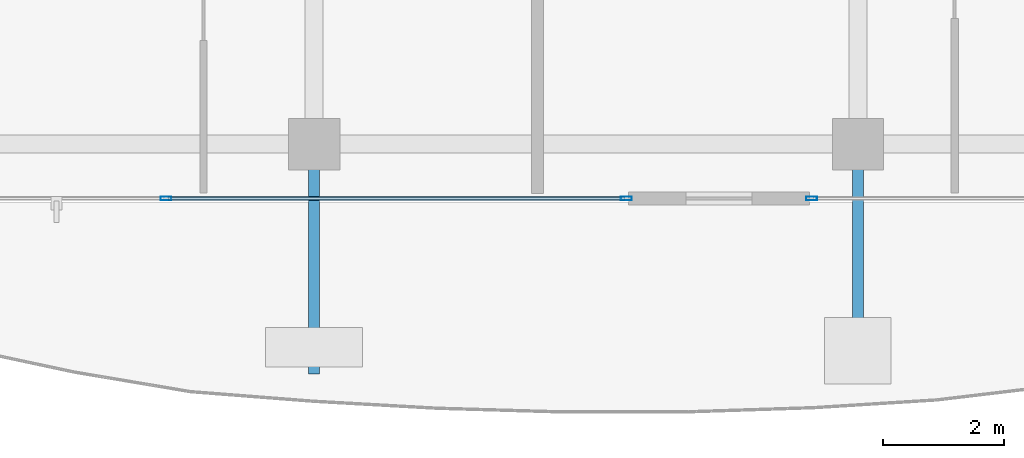
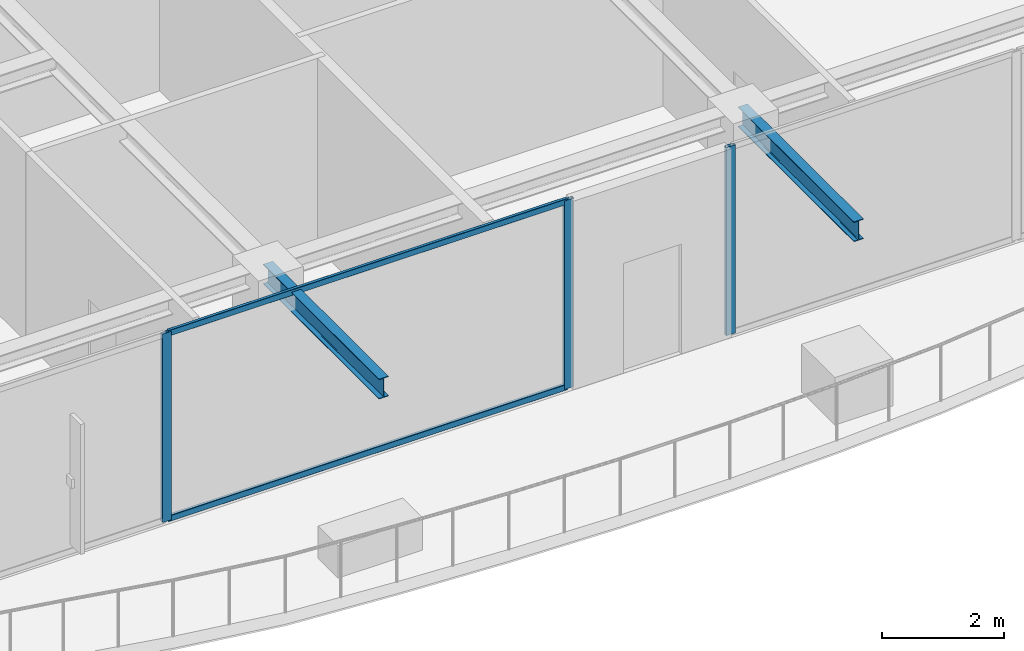
# One storey, part 5 of 36: 5 members, 2 beams, 2 elements without a shape of their own.
"""IFC4 building model written with IfcOpenShell, lengths in metres."""

from ifc_helpers import new_model, si_unit, direction, frame, origin, origin_2d, place, context, subcontext, project, spatial, hollow_rectangle, i_section, extrude, source, transform, mapped, material, layer, layer_set, material_profile, profile_set, type_object, element, aggregate, save


model = new_model("IFC4")

# Units and contexts
model_context = context("Model", 3, precision=1e-05, world=origin(), true_north=direction((0.0, 1.0)))
body_context = subcontext(model_context, "Body", "Model", "MODEL_VIEW")
ifc_project = project(units=[si_unit("LENGTHUNIT", "METRE"), si_unit("AREAUNIT", "SQUARE_METRE"), si_unit("VOLUMEUNIT", "CUBIC_METRE"), si_unit("PLANEANGLEUNIT", "RADIAN"), si_unit("MASSUNIT", "GRAM", prefix="KILO")], contexts=[model_context])

# Site, building, storey
site_placement = place(None, origin())
site = spatial("IfcSite", under=ifc_project, at=site_placement, CompositionType="ELEMENT")
building_placement = place(site_placement, origin())
building = spatial("IfcBuilding", under=site, at=building_placement, Name="Serunith Strait Residences", CompositionType="ELEMENT")
storey_placement = place(building_placement, frame((0.0, 0.0, 338.0)))
storey = spatial("IfcBuildingStorey", under=building, at=storey_placement, Name="L84", CompositionType="ELEMENT", Elevation=338.0)

# Beams
ifc_material_1 = material(Name="Steel S355J2", Category="steel")
ifc_material_profile_1 = material_profile(ifc_material_1, i_section(OverallWidth=0.179931640625, OverallDepth=0.39990234375, WebThickness=0.008544921875, FlangeThickness=0.013427734375, FilletRadius=0.02099609375, at=origin_2d()), Name="IPE 400")
ifc_profile_set_1 = profile_set([ifc_material_profile_1], Name="Steel S355J2")
beam_type = type_object("IfcBeamType", Name="BM-IPE400", PredefinedType="JOIST", material=ifc_profile_set_1)
shared_shape_1 = source(origin(), body_context, "Body", "SweptSolid", [
    extrude(i_section(OverallWidth=0.179931640625, OverallDepth=0.39990234375, WebThickness=0.008544921875, FlangeThickness=0.013427734375, FilletRadius=0.02099609375, at=origin_2d()), origin(), (0.0, 0.0, 1.0), 3.7998046875),
])
for number, where, z_axis, x_axis, name in (
    (1, (27.89990234375, 4.89990234375, 3.556884765625), (0.0, -1.0, 0.0), (1.0, 0.0, 0.0), "L85 Cantilevered Balcony Rib TC-S2"),
    (2, (36.89990234375, 4.89990234375, 3.556884765625), (0.0, -1.0, 0.0), (1.0, 0.0, 0.0), "L85 Cantilevered Balcony Rib TC-S3"),
):
    element("IfcBeam", number, at=place(storey_placement, frame(where, z_axis=z_axis, x_axis=x_axis)), inside=storey, type_object=beam_type, Name=name, PredefinedType="JOIST", context=body_context, shape_type="MappedRepresentation", body=[
        mapped(shared_shape_1, transform((0.0, 0.0, 0.0), scale=1.0)),
    ])

# Curtain wall, members
ifc_material_2 = material(Name="Brushed Stainless-Silver Aluminium", Category="aluminium")
ifc_layer = layer(ifc_material_2, 0.199951171875, Name="Brushed Stainless-Silver Aluminium")
ifc_layer_set = layer_set([ifc_layer], Name="Brushed Stainless-Silver Aluminium")
curtain_wall_type = type_object("IfcCurtainWallType", Name="CW-SYS5", PredefinedType="NOTDEFINED", material=ifc_layer_set)
curtain_wall_1_placement = place(storey_placement, origin())
curtain_wall_1 = element("IfcCurtainWall", 3, at=curtain_wall_1_placement, inside=storey, type_object=curtain_wall_type, Name="L84 S Unitised Fritted Curtain Wall", PredefinedType="NOTDEFINED")
ifc_material_profile_2 = material_profile(ifc_material_2, hollow_rectangle(XDim=0.06494140625, YDim=0.179931640625, WallThickness=0.00341796875, InnerFilletRadius=0.00537109375, OuterFilletRadius=0.0087890625, at=origin_2d()), Name="ALU 180x65x3.5")
ifc_profile_set_2 = profile_set([ifc_material_profile_2], Name="Brushed Stainless-Silver Aluminium")
member_type_1 = type_object("IfcMemberType", Name="CW-SYS5-MULL", PredefinedType="MULLION", material=ifc_profile_set_2)
shared_shape_2 = source(origin(), body_context, "Body", "SweptSolid", [
    extrude(hollow_rectangle(XDim=0.06494140625, YDim=0.179931640625, WallThickness=0.00341796875, InnerFilletRadius=0.00537109375, OuterFilletRadius=0.0087890625, at=origin_2d()), origin(), (0.0, 0.0, 1.0), 3.77490234375),
])
member_1_placement = place(storey_placement, frame((25.449951171875, 4.0, 0.0), z_axis=(0.0, 0.0, 1.0), x_axis=(0.0, 1.0, 0.0)))
member_1 = element("IfcMember", 4, at=member_1_placement, type_object=member_type_1, Name="CW-5 mullion 2", PredefinedType="MULLION", context=body_context, shape_type="MappedRepresentation", body=[
    mapped(shared_shape_2, transform((0.0, 0.0, 0.0), scale=1.0)),
])
member_2_placement = place(storey_placement, frame((33.0673828125, 4.0, 0.0), z_axis=(0.0, 0.0, 1.0), x_axis=(0.0, 1.0, 0.0)))
member_2 = element("IfcMember", 5, at=member_2_placement, type_object=member_type_1, Name="CW-5 mullion 3", PredefinedType="MULLION", context=body_context, shape_type="MappedRepresentation", body=[
    mapped(shared_shape_2, transform((0.0, 0.0, 0.0), scale=1.0)),
])

# Curtain wall, member
curtain_wall_2_placement = place(storey_placement, origin())
curtain_wall_2 = element("IfcCurtainWall", 6, at=curtain_wall_2_placement, inside=storey, type_object=curtain_wall_type, Name="L84 S Unitised Fritted Curtain Wall", PredefinedType="NOTDEFINED")
member_3_placement = place(storey_placement, frame((36.132568359375, 4.0, 0.0), z_axis=(0.0, 0.0, 1.0), x_axis=(0.0, 1.0, 0.0)))
member_3 = element("IfcMember", 7, at=member_3_placement, type_object=member_type_1, Name="CW-5 mullion 1", PredefinedType="MULLION", context=body_context, shape_type="MappedRepresentation", body=[
    mapped(shared_shape_2, transform((0.0, 0.0, 0.0), scale=1.0)),
])
aggregate(curtain_wall_2, [member_3])

# Member
ifc_material_profile_3 = material_profile(ifc_material_2, hollow_rectangle(XDim=0.06005859375, YDim=0.1201171875, WallThickness=0.00341796875, InnerFilletRadius=0.00537109375, OuterFilletRadius=0.0087890625, at=origin_2d()), Name="ALU 120x60x3.5")
ifc_profile_set_3 = profile_set([ifc_material_profile_3], Name="Brushed Stainless-Silver Aluminium")
member_type_2 = type_object("IfcMemberType", Name="CW-SYS5-TRAN", PredefinedType="USERDEFINED", material=ifc_profile_set_3)
shared_shape_3 = source(origin(), body_context, "Body", "SweptSolid", [
    extrude(hollow_rectangle(XDim=0.06005859375, YDim=0.1201171875, WallThickness=0.00341796875, InnerFilletRadius=0.00537109375, OuterFilletRadius=0.0087890625, at=origin_2d()), origin(), (0.0, 0.0, 1.0), 7.552490234375),
])
member_4_placement = place(storey_placement, frame((25.482421875, 4.0, 0.030029296875), z_axis=(1.0, 0.0, 0.0), x_axis=(0.0, 1.0, 0.0)))
member_4 = element("IfcMember", 8, at=member_4_placement, type_object=member_type_2, Name="CW-5 transom 2.1", ObjectType="TRANSOM", PredefinedType="USERDEFINED", context=body_context, shape_type="MappedRepresentation", body=[
    mapped(shared_shape_3, transform((0.0, 0.0, 0.0), scale=1.0)),
])

member_5_placement = place(storey_placement, frame((25.482421875, 4.0, 3.7451171875), z_axis=(1.0, 0.0, 0.0), x_axis=(0.0, 1.0, 0.0)))
member_5 = element("IfcMember", 9, at=member_5_placement, type_object=member_type_2, Name="CW-5 transom 2.2", ObjectType="TRANSOM", PredefinedType="USERDEFINED", context=body_context, shape_type="MappedRepresentation", body=[
    mapped(shared_shape_3, transform((0.0, 0.0, 0.0), scale=1.0)),
])

aggregate(curtain_wall_1, [member_1, member_2, member_4, member_5])

save(model, "model.ifc")
